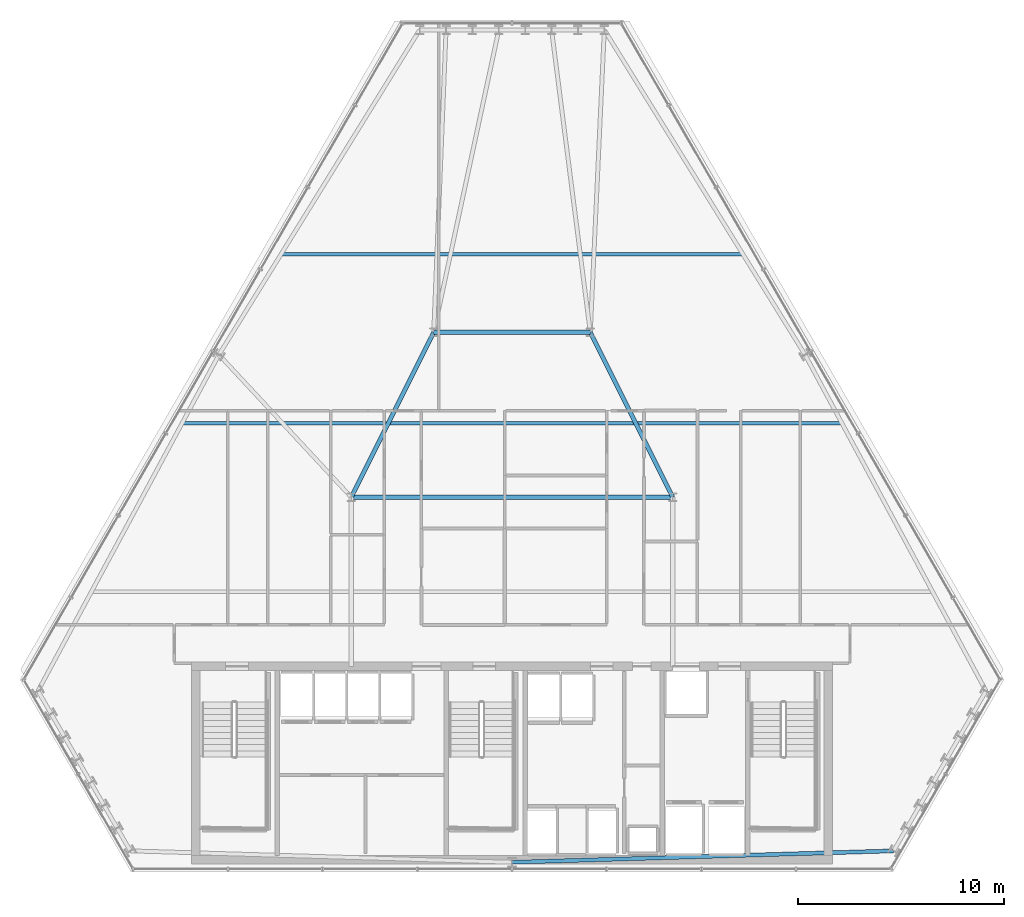
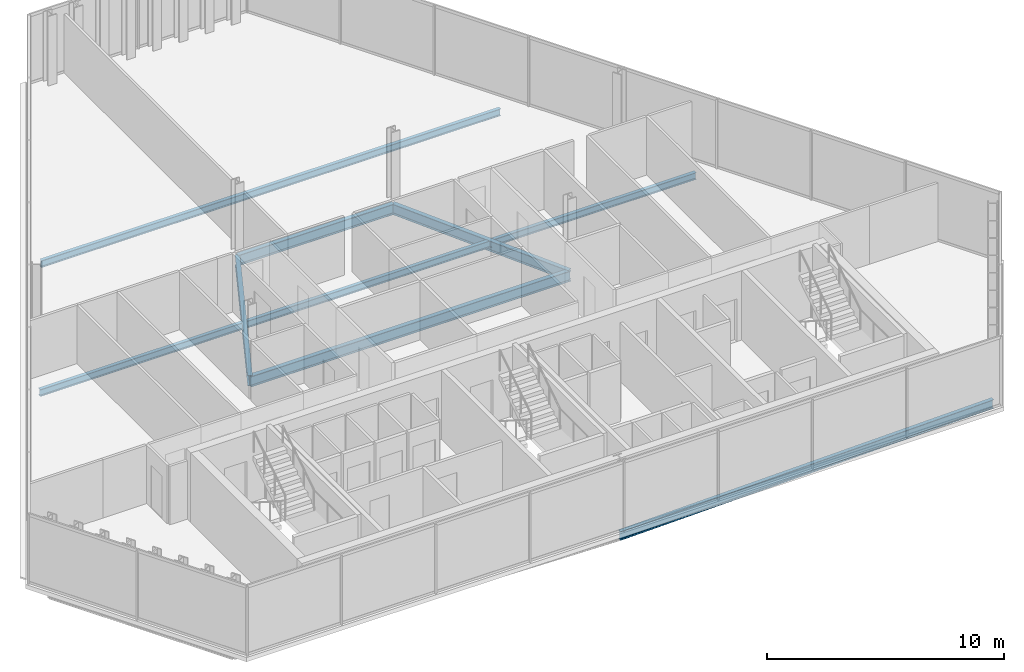
# One storey, part 14 of 33: 7 beams.
"""IFC4 building model written with IfcOpenShell, lengths in metres."""

from ifc_helpers import new_model, si_unit, direction, frame, origin, origin_2d, place, context, subcontext, project, spatial, i_section, extrude, material, material_profile, profile_set, type_object, element, save


model = new_model("IFC4")

# Units and contexts
model_context = context("Model", 3, precision=1e-05, world=origin(), true_north=direction((0.0, 1.0)))
body_context = subcontext(model_context, "Body", "Model", "MODEL_VIEW")
ifc_project = project(units=[si_unit("LENGTHUNIT", "METRE"), si_unit("AREAUNIT", "SQUARE_METRE"), si_unit("VOLUMEUNIT", "CUBIC_METRE"), si_unit("PLANEANGLEUNIT", "RADIAN"), si_unit("MASSUNIT", "GRAM", prefix="KILO")], contexts=[model_context])

# Site, building, storey
site_placement = place(None, origin())
site = spatial("IfcSite", under=ifc_project, at=site_placement, CompositionType="ELEMENT")
building_placement = place(site_placement, origin())
building = spatial("IfcBuilding", under=site, at=building_placement, Name="Ndaravel Arena Tower", CompositionType="ELEMENT")
storey_placement = place(building_placement, frame((0.0, 0.0, 161.199951171875)))
storey = spatial("IfcBuildingStorey", under=building, at=storey_placement, Name="L38", CompositionType="ELEMENT", Elevation=161.199951171875)

# Beams
ifc_material_1 = material(Name="Steel S355", Category="steel")
ifc_material_profile_1 = material_profile(ifc_material_1, i_section(OverallWidth=0.210693359375, OverallDepth=0.53955078125, WebThickness=0.01171875, FlangeThickness=0.018798828125, FilletRadius=0.0126953125, at=origin_2d()), Name="UB 533x210x109")
ifc_profile_set_1 = profile_set([ifc_material_profile_1], Name="Steel S355")
beam_type_1 = type_object("IfcBeamType", Name="BM-GIRD-UB533", PredefinedType="BEAM", material=ifc_profile_set_1)
beam_1_placement = place(storey_placement, frame((34.199951171875, 23.199951171875, -0.48974609375), z_axis=(1.0, 0.0, 0.0), x_axis=(0.0, 1.0, 0.0)))
element("IfcBeam", 1, at=beam_1_placement, inside=storey, type_object=beam_type_1, Name="L38 Spine Link Girder SLG-03", PredefinedType="BEAM", context=body_context, shape_type="SweptSolid", body=[
    extrude(i_section(OverallWidth=0.210693359375, OverallDepth=0.53955078125, WebThickness=0.01171875, FlangeThickness=0.018798828125, FilletRadius=0.0126953125, at=origin_2d()), origin(), (0.0, 0.0, 1.0), 15.60009765625),
])
for number, where, z_axis, x_axis, name in (
    (2, (34.199951171875, 23.199951171875, -0.48974609375), (0.4472135955, 0.894427191, 0.0), (-0.894427191, 0.4472135955, 0.0), "L38 Spine Link Girder SLG-04"),
    (3, (49.800048828125, 23.199951171875, -0.48974609375), (-0.4472135955, 0.894427191, 0.0), (-0.894427191, -0.4472135955, 0.0), "L38 Spine Link Girder SLG-05"),
):
    element("IfcBeam", number, at=place(storey_placement, frame(where, z_axis=z_axis, x_axis=x_axis)), inside=storey, type_object=beam_type_1, Name=name, PredefinedType="BEAM", context=body_context, shape_type="SweptSolid", body=[
        extrude(i_section(OverallWidth=0.210693359375, OverallDepth=0.53955078125, WebThickness=0.01171875, FlangeThickness=0.018798828125, FilletRadius=0.0126953125, at=origin_2d()), origin(), (0.0, 0.0, 1.0), 8.9443359375),
    ])
beam_2_placement = place(storey_placement, frame((38.199951171875, 31.199951171875, -0.48974609375), z_axis=(1.0, 0.0, 0.0), x_axis=(0.0, 1.0, 0.0)))
element("IfcBeam", 4, at=beam_2_placement, inside=storey, type_object=beam_type_1, Name="L38 Spine Link Girder SLG-06", PredefinedType="BEAM", context=body_context, shape_type="SweptSolid", body=[
    extrude(i_section(OverallWidth=0.210693359375, OverallDepth=0.53955078125, WebThickness=0.01171875, FlangeThickness=0.018798828125, FilletRadius=0.0126953125, at=origin_2d()), origin(), (0.0, 0.0, 1.0), 7.60009765625),
])
ifc_material_2 = material(Name="Steel S355", Category="steel")
ifc_material_profile_2 = material_profile(ifc_material_2, i_section(OverallWidth=0.172119140625, OverallDepth=0.35791015625, WebThickness=0.008056640625, FlangeThickness=0.012939453125, FilletRadius=0.01025390625, at=origin_2d()), Name="UB 356x171x57")
ifc_profile_set_2 = profile_set([ifc_material_profile_2], Name="Steel S355")
beam_type_2 = type_object("IfcBeamType", Name="BM-JOIST-UB356", PredefinedType="JOIST", material=ifc_profile_set_2)
beam_3_placement = place(storey_placement, frame((25.992919921875, 26.800048828125, -0.39892578125), z_axis=(1.0, 0.0, 0.0), x_axis=(0.0, 1.0, 0.0)))
element("IfcBeam", 5, at=beam_3_placement, inside=storey, type_object=beam_type_2, Name="L38 Composite Floor Joist FJ-02", PredefinedType="JOIST", context=body_context, shape_type="SweptSolid", body=[
    extrude(i_section(OverallWidth=0.172119140625, OverallDepth=0.35791015625, WebThickness=0.008056640625, FlangeThickness=0.012939453125, FilletRadius=0.01025390625, at=origin_2d()), origin(), (0.0, 0.0, 1.0), 32.01416015625),
])
beam_4_placement = place(storey_placement, frame((30.79541015625, 35.0, -0.39892578125), z_axis=(1.0, 0.0, 0.0), x_axis=(0.0, 1.0, 0.0)))
element("IfcBeam", 6, at=beam_4_placement, inside=storey, type_object=beam_type_2, Name="L38 Composite Floor Joist FJ-03", PredefinedType="JOIST", context=body_context, shape_type="SweptSolid", body=[
    extrude(i_section(OverallWidth=0.172119140625, OverallDepth=0.35791015625, WebThickness=0.008056640625, FlangeThickness=0.012939453125, FilletRadius=0.01025390625, at=origin_2d()), origin(), (0.0, 0.0, 1.0), 22.4091796875),
])
ifc_material_3 = material(Name="Steel S355", Category="steel")
ifc_material_profile_3 = material_profile(ifc_material_3, i_section(OverallWidth=0.18994140625, OverallDepth=0.449951171875, WebThickness=0.009521484375, FlangeThickness=0.0146484375, FilletRadius=0.02099609375, at=origin_2d()), Name="IPE 450")
ifc_profile_set_3 = profile_set([ifc_material_profile_3], Name="Steel S355")
beam_type_3 = type_object("IfcBeamType", Name="BM-SPAN-IPE450", PredefinedType="SPANDREL", material=ifc_profile_set_3)
beam_5_placement = place(storey_placement, frame((42.0, 5.47998046875, -0.445068359375), z_axis=(0.999552850435, 0.029901491401, 0.0), x_axis=(-0.029901491401, 0.999552850435, 0.0)))
element("IfcBeam", 7, at=beam_5_placement, inside=storey, type_object=beam_type_3, Name="L38 Perimeter Spandrel Beam SP-01", PredefinedType="SPANDREL", context=body_context, shape_type="SweptSolid", body=[
    extrude(i_section(OverallWidth=0.18994140625, OverallDepth=0.449951171875, WebThickness=0.009521484375, FlangeThickness=0.0146484375, FilletRadius=0.02099609375, at=origin_2d()), origin(), (0.0, 0.0, 1.0), 18.5341796875),
])

save(model, "model.ifc")
